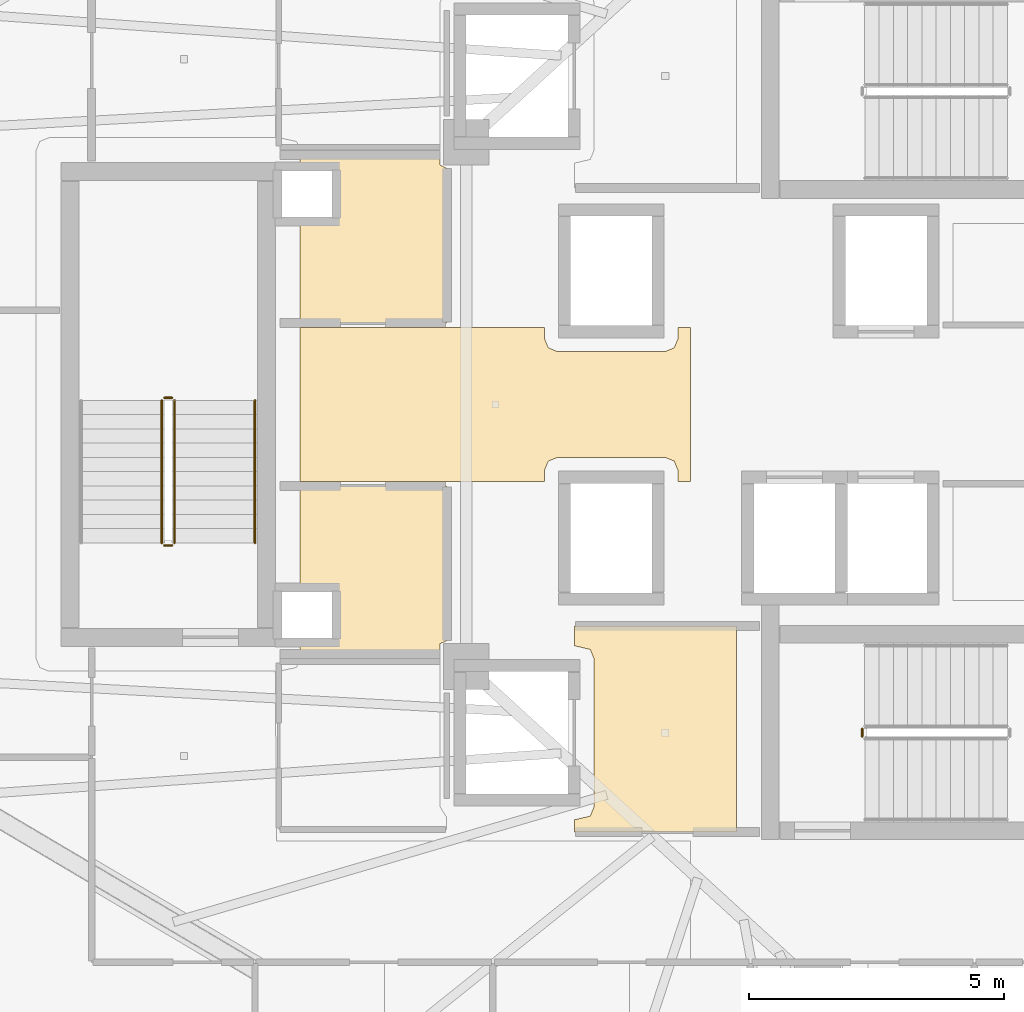
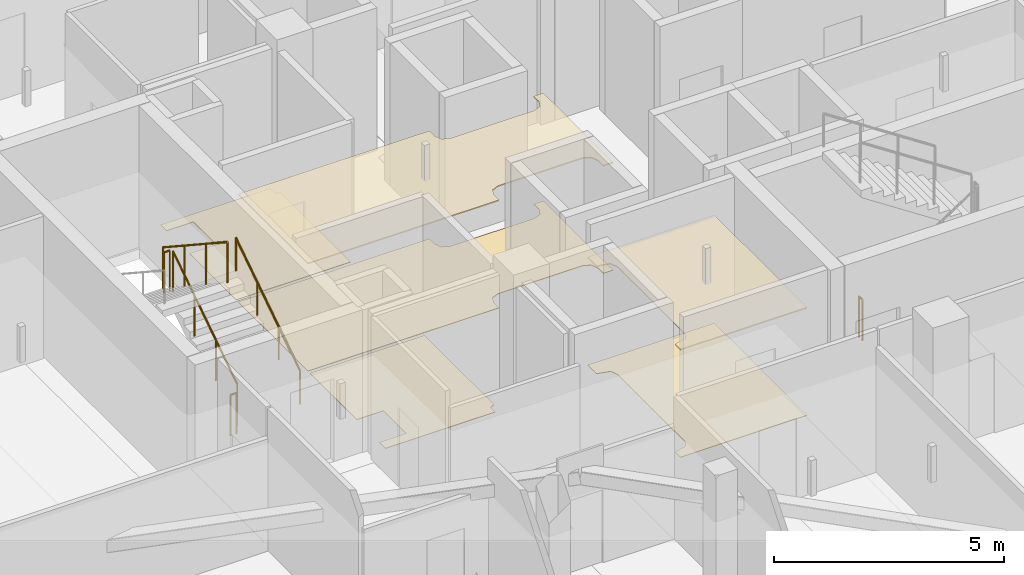
# One storey, part 38 of 43: 6 coverings, 6 railings.
"""IFC4 building model written with IfcOpenShell, lengths in metres."""

from ifc_helpers import new_model, si_unit, direction, frame, origin, origin_2d, place, context, subcontext, project, spatial, polyline, circle, outline, extrude, material, layer, layer_set, type_object, element, save


model = new_model("IFC4")

# Units and contexts
model_context = context("Model", 3, precision=1e-05, world=origin(), true_north=direction((0.0, 1.0)))
body_context = subcontext(model_context, "Body", "Model", "MODEL_VIEW")
ifc_project = project(units=[si_unit("LENGTHUNIT", "METRE"), si_unit("AREAUNIT", "SQUARE_METRE"), si_unit("VOLUMEUNIT", "CUBIC_METRE"), si_unit("PLANEANGLEUNIT", "RADIAN"), si_unit("MASSUNIT", "GRAM", prefix="KILO")], contexts=[model_context])

# Site, building, storey
site_placement = place(None, origin())
site = spatial("IfcSite", under=ifc_project, at=site_placement, CompositionType="ELEMENT")
building_placement = place(site_placement, origin())
building = spatial("IfcBuilding", under=site, at=building_placement, Name="Qorvath Tower", CompositionType="ELEMENT")
storey_placement = place(building_placement, frame((0.0, 0.0, 213.14990234375)))
storey = spatial("IfcBuildingStorey", under=building, at=storey_placement, Name="L49", CompositionType="ELEMENT", Elevation=213.14990234375)

# Coverings
ifc_material_1 = material(Name="Acoustic mineral fibre ceiling tile", Category="gypsum")
ifc_layer_1 = layer(ifc_material_1, 0.030029296875)
ifc_layer_set_1 = layer_set([ifc_layer_1], Name="COV-CEIL")
covering_type_1 = type_object("IfcCoveringType", Name="COV-CEIL", PredefinedType="CEILING", material=ifc_layer_set_1)
covering_1_placement = place(storey_placement, frame((0.0, 0.0, 2.85009765625)))
element("IfcCovering", 1, at=covering_1_placement, inside=storey, type_object=covering_type_1, Name="L49 Suspended Acoustic Ceiling 002", PredefinedType="CEILING", context=body_context, shape_type="SweptSolid", body=[
    extrude(outline(polyline([(-25.18994140625, -8.39501953125), (-25.18994140625, -4.35498046875), (-28.375, -4.35498046875), (-28.375, -4.739990234375), (-28.063232421875, -4.813232421875), (-27.989990234375, -4.989990234375), (-27.989990234375, -7.909912109375), (-28.063232421875, -8.086669921875), (-28.375, -8.159912109375), (-28.375, -8.39501953125), (-25.18994140625, -8.39501953125)])), origin(), (0.0, 0.0, 1.0), 0.030029296875),
])
covering_2_placement = place(storey_placement, frame((0.0, 0.0, 2.85009765625)))
element("IfcCovering", 2, at=covering_2_placement, inside=storey, type_object=covering_type_1, Name="L49 Suspended Acoustic Ceiling 011", PredefinedType="CEILING", context=body_context, shape_type="SweptSolid", body=[
    extrude(outline(polyline([(-26.09521484375, -1.514892578125), (-26.09521484375, 1.514892578125), (-26.340087890625, 1.514892578125), (-26.340087890625, 1.2900390625), (-26.413330078125, 1.11328125), (-26.590087890625, 1.0400390625), (-28.7099609375, 1.0400390625), (-28.88671875, 1.11328125), (-28.9599609375, 1.2900390625), (-28.9599609375, 1.514892578125), (-33.760009765625, 1.514892578125), (-33.760009765625, -1.514892578125), (-28.9599609375, -1.514892578125), (-28.9599609375, -1.2900390625), (-28.88671875, -1.11328125), (-28.7099609375, -1.0400390625), (-26.590087890625, -1.0400390625), (-26.413330078125, -1.11328125), (-26.340087890625, -1.2900390625), (-26.340087890625, -1.514892578125), (-26.09521484375, -1.514892578125)])), origin(), (0.0, 0.0, 1.0), 0.030029296875),
])
ifc_material_2 = material(Name="Low-VOC modular carpet tile", Category="textile")
ifc_layer_2 = layer(ifc_material_2, 0.014892578125)
ifc_layer_set_2 = layer_set([ifc_layer_2], Name="COV-FLOOR-CPT")
covering_type_2 = type_object("IfcCoveringType", Name="COV-FLOOR-CPT", PredefinedType="FLOORING", material=ifc_layer_set_2)
covering_3_placement = place(storey_placement, origin())
element("IfcCovering", 3, at=covering_3_placement, inside=storey, type_object=covering_type_2, Name="L49 Floor Finish 006", PredefinedType="FLOORING", context=body_context, shape_type="SweptSolid", body=[
    extrude(outline(polyline([(-31.010009765625, 4.89501953125), (-33.760009765625, 4.89501953125), (-33.760009765625, 4.633056640625), (-33.08837890625, 4.631591796875), (-33.0869140625, 3.64208984375), (-33.760009765625, 3.636962890625), (-33.760009765625, 1.60498046875), (-30.885009765625, 1.60498046875), (-30.885009765625, 4.639892578125), (-31.010009765625, 4.699951171875), (-31.010009765625, 4.89501953125)])), origin(), (0.0, 0.0, 1.0), 0.01513671875),
])
covering_4_placement = place(storey_placement, origin())
element("IfcCovering", 4, at=covering_4_placement, inside=storey, type_object=covering_type_2, Name="L49 Floor Finish 008", PredefinedType="FLOORING", context=body_context, shape_type="SweptSolid", body=[
    extrude(outline(polyline([(-30.885009765625, -1.60498046875), (-33.760009765625, -1.60498046875), (-33.760009765625, -3.636962890625), (-33.08837890625, -3.638427734375), (-33.0869140625, -4.6279296875), (-33.760009765625, -4.633056640625), (-33.760009765625, -4.89501953125), (-31.010009765625, -4.89501953125), (-31.010009765625, -4.699951171875), (-30.885009765625, -4.639892578125), (-30.885009765625, -1.60498046875)])), origin(), (0.0, 0.0, 1.0), 0.01513671875),
])
ifc_material_3 = material(Name="Polished epoxy terrazzo flooring", Category="concrete")
ifc_layer_3 = layer(ifc_material_3, 0.02001953125)
ifc_layer_set_3 = layer_set([ifc_layer_3], Name="COV-FLOOR-TRZ")
covering_type_3 = type_object("IfcCoveringType", Name="COV-FLOOR-TRZ", PredefinedType="FLOORING", material=ifc_layer_set_3)
covering_5_placement = place(storey_placement, origin())
element("IfcCovering", 5, at=covering_5_placement, inside=storey, type_object=covering_type_3, Name="L49 Floor Finish 002", PredefinedType="FLOORING", context=body_context, shape_type="SweptSolid", body=[
    extrude(outline(polyline([(-25.18994140625, -8.39501953125), (-25.18994140625, -4.35498046875), (-28.375, -4.35498046875), (-28.375, -4.739990234375), (-28.063232421875, -4.813232421875), (-27.989990234375, -4.989990234375), (-27.989990234375, -7.909912109375), (-28.063232421875, -8.086669921875), (-28.375, -8.159912109375), (-28.375, -8.39501953125), (-25.18994140625, -8.39501953125)])), origin(), (0.0, 0.0, 1.0), 0.01513671875),
])
covering_6_placement = place(storey_placement, origin())
element("IfcCovering", 6, at=covering_6_placement, inside=storey, type_object=covering_type_3, Name="L49 Floor Finish 011", PredefinedType="FLOORING", context=body_context, shape_type="SweptSolid", body=[
    extrude(outline(polyline([(-26.09521484375, -1.514892578125), (-26.09521484375, 1.514892578125), (-26.340087890625, 1.514892578125), (-26.340087890625, 1.2900390625), (-26.413330078125, 1.11328125), (-26.590087890625, 1.0400390625), (-28.7099609375, 1.0400390625), (-28.88671875, 1.11328125), (-28.9599609375, 1.2900390625), (-28.9599609375, 1.514892578125), (-33.760009765625, 1.514892578125), (-33.760009765625, -1.514892578125), (-28.9599609375, -1.514892578125), (-28.9599609375, -1.2900390625), (-28.88671875, -1.11328125), (-28.7099609375, -1.0400390625), (-26.590087890625, -1.0400390625), (-26.413330078125, -1.11328125), (-26.340087890625, -1.2900390625), (-26.340087890625, -1.514892578125), (-26.09521484375, -1.514892578125)])), origin(), (0.0, 0.0, 1.0), 0.01513671875),
])

# Railings
ifc_material_4 = material(Name="Painted galvanised steel", Category="steel")
railing_type_1 = type_object("IfcRailingType", Name="RL-STR-GRD", PredefinedType="GUARDRAIL", material=ifc_material_4)
railing_1_placement = place(storey_placement, frame((-22.719970703125, -6.52001953125, 0.0)))
element("IfcRailing", 7, at=railing_1_placement, inside=storey, type_object=railing_type_1, Name="L49 TS2 stair guard 4", PredefinedType="GUARDRAIL", context=body_context, shape_type="SweptSolid", body=[
    extrude(circle(Radius=0.02392578125, at=origin_2d()), frame((0.0, 0.0, 1.076171875), z_axis=(0.0, 1.0, 0.0), x_axis=(-1.0, 0.0, 0.0)), (0.0, 0.0, 1.0), 0.14990234375),
    extrude(circle(Radius=0.02099609375, at=origin_2d()), origin(), (0.0, 0.0, 1.0), 1.052001953125),
    extrude(circle(Radius=0.02099609375, at=origin_2d()), frame((0.0, 0.14990234375, 0.0)), (0.0, 0.0, 1.0), 1.052001953125),
])
railing_2_placement = place(storey_placement, frame((-36.22998046875, -2.719970703125, 0.18408203125)))
element("IfcRailing", 8, at=railing_2_placement, inside=storey, type_object=railing_type_1, Name="L49 TS3 stair guard 1", PredefinedType="GUARDRAIL", context=body_context, shape_type="SweptSolid", body=[
    extrude(circle(Radius=0.02392578125, at=origin_2d()), frame((0.0, 0.0, 1.076171875), z_axis=(0.0, 0.83556406348, 0.549393024911), x_axis=(-1.0, 0.0, 0.0)), (0.0, 0.0, 1.0), 3.35107421875),
    extrude(circle(Radius=0.02099609375, at=origin_2d()), origin(), (0.0, 0.0, 1.0), 1.052001953125),
    extrude(circle(Radius=0.02099609375, at=origin_2d()), frame((0.0, 0.933349609375, 0.61376953125)), (0.0, 0.0, 1.0), 1.052001953125),
    extrude(circle(Radius=0.02099609375, at=origin_2d()), frame((0.0, 1.86669921875, 1.227294921875)), (0.0, 0.0, 1.0), 1.052001953125),
    extrude(circle(Radius=0.02099609375, at=origin_2d()), frame((0.0, 2.800048828125, 1.841064453125)), (0.0, 0.0, 1.0), 1.052001953125),
])
railing_3_placement = place(storey_placement, frame((-36.280029296875, 0.1298828125, 2.025146484375)))
element("IfcRailing", 9, at=railing_3_placement, inside=storey, type_object=railing_type_1, Name="L49 TS3 stair guard 2", PredefinedType="GUARDRAIL", context=body_context, shape_type="SweptSolid", body=[
    extrude(circle(Radius=0.02392578125, at=origin_2d()), frame((0.0, 0.0, 1.076171875), z_axis=(-1.0, 0.0, 0.0), x_axis=(0.0, -1.0, 0.0)), (0.0, 0.0, 1.0), 0.14990234375),
    extrude(circle(Radius=0.02099609375, at=origin_2d()), origin(), (0.0, 0.0, 1.0), 1.052001953125),
    extrude(circle(Radius=0.02099609375, at=origin_2d()), frame((-0.14990234375, 0.0, 0.0)), (0.0, 0.0, 1.0), 1.052001953125),
])
railing_4_placement = place(storey_placement, frame((-36.47998046875, 0.080078125, 2.209228515625)))
element("IfcRailing", 10, at=railing_4_placement, inside=storey, type_object=railing_type_1, Name="L49 TS3 stair guard 3", PredefinedType="GUARDRAIL", context=body_context, shape_type="SweptSolid", body=[
    extrude(circle(Radius=0.02392578125, at=origin_2d()), frame((0.0, 0.0, 1.076171875), z_axis=(0.0, -0.835597507184, 0.549342157483), x_axis=(1.0, 0.0, 0.0)), (0.0, 0.0, 1.0), 3.35107421875),
    extrude(circle(Radius=0.02099609375, at=origin_2d()), origin(), (0.0, 0.0, 1.0), 1.052001953125),
    extrude(circle(Radius=0.02099609375, at=origin_2d()), frame((0.0, -0.933349609375, 0.613525390625)), (0.0, 0.0, 1.0), 1.052001953125),
    extrude(circle(Radius=0.02099609375, at=origin_2d()), frame((0.0, -1.86669921875, 1.227294921875)), (0.0, 0.0, 1.0), 1.052001953125),
    extrude(circle(Radius=0.02099609375, at=origin_2d()), frame((0.0, -2.800048828125, 1.8408203125)), (0.0, 0.0, 1.0), 1.052001953125),
])
railing_5_placement = place(storey_placement, frame((-36.280029296875, -2.77001953125, 0.0)))
element("IfcRailing", 11, at=railing_5_placement, inside=storey, type_object=railing_type_1, Name="L49 TS3 stair guard 4", PredefinedType="GUARDRAIL", context=body_context, shape_type="SweptSolid", body=[
    extrude(circle(Radius=0.02392578125, at=origin_2d()), frame((0.0, 0.0, 1.076171875), z_axis=(-1.0, 0.0, 0.0), x_axis=(0.0, -1.0, 0.0)), (0.0, 0.0, 1.0), 0.14990234375),
    extrude(circle(Radius=0.02099609375, at=origin_2d()), origin(), (0.0, 0.0, 1.0), 1.052001953125),
    extrude(circle(Radius=0.02099609375, at=origin_2d()), frame((-0.14990234375, 0.0, 0.0)), (0.0, 0.0, 1.0), 1.052001953125),
])
ifc_material_5 = material(Name="Brushed stainless steel AISI 304", Category="steel")
railing_type_2 = type_object("IfcRailingType", Name="RL-STR-HND", PredefinedType="HANDRAIL", material=ifc_material_5)
railing_6_placement = place(storey_placement, frame((-34.64990234375, -2.719970703125, 0.18408203125)))
element("IfcRailing", 12, at=railing_6_placement, inside=storey, type_object=railing_type_2, Name="L49 TS3 stair handrail 1", PredefinedType="HANDRAIL", context=body_context, shape_type="SweptSolid", body=[
    extrude(circle(Radius=0.02392578125, at=origin_2d()), frame((0.0, 0.0, 0.8759765625), z_axis=(0.0, 0.83556406348, 0.549393024911), x_axis=(-1.0, 0.0, 0.0)), (0.0, 0.0, 1.0), 3.35107421875),
    extrude(circle(Radius=0.02099609375, at=origin_2d()), origin(), (0.0, 0.0, 1.0), 0.851806640625),
    extrude(circle(Radius=0.02099609375, at=origin_2d()), frame((0.0, 0.933349609375, 0.61376953125)), (0.0, 0.0, 1.0), 0.851806640625),
    extrude(circle(Radius=0.02099609375, at=origin_2d()), frame((0.0, 1.86669921875, 1.227294921875)), (0.0, 0.0, 1.0), 0.851806640625),
    extrude(circle(Radius=0.02099609375, at=origin_2d()), frame((0.0, 2.800048828125, 1.841064453125)), (0.0, 0.0, 1.0), 0.851806640625),
])

save(model, "model.ifc")
